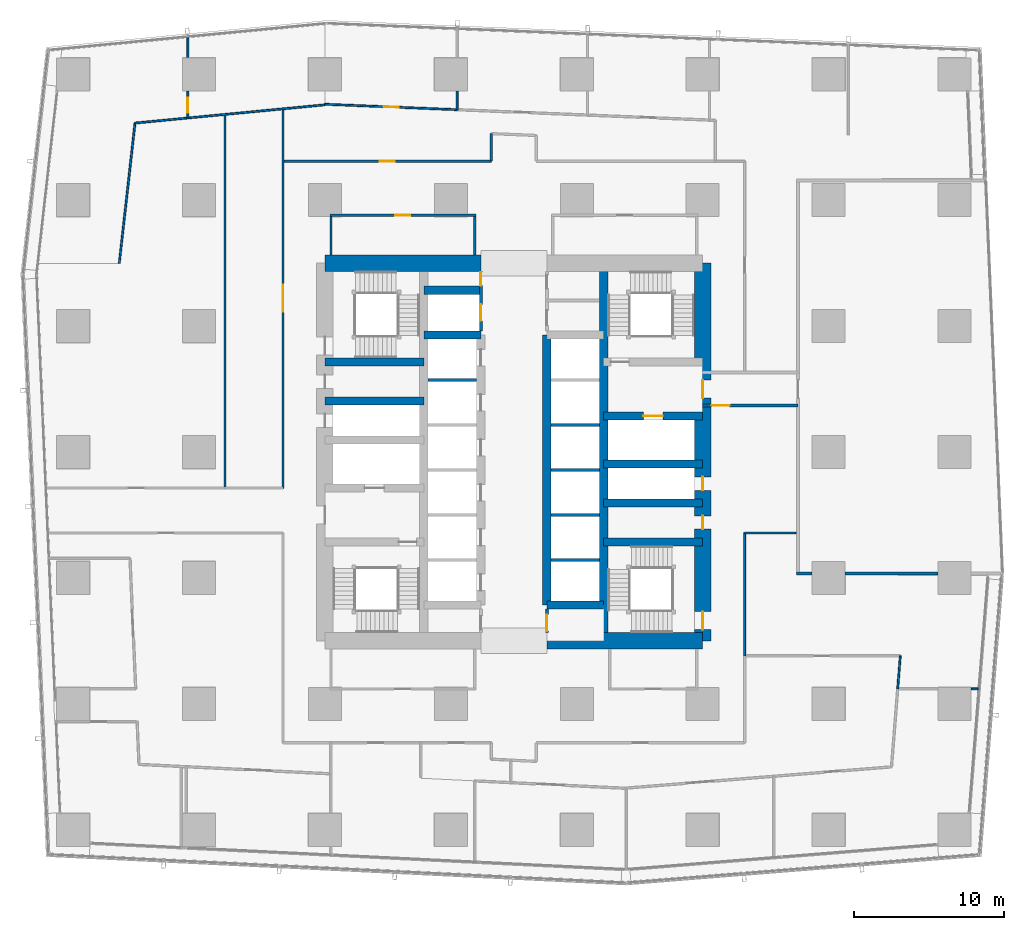
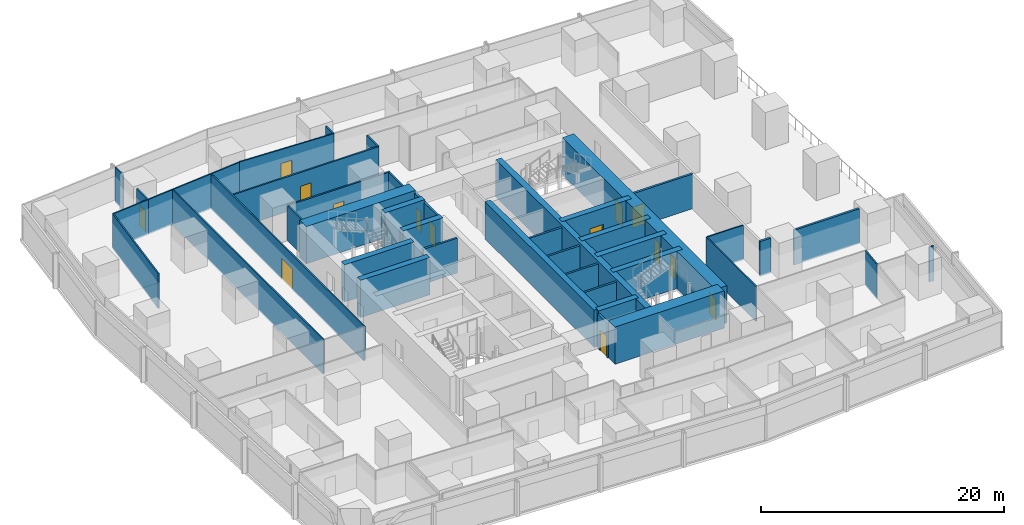
# One storey, part 31 of 42: 42 walls, 14 doors, 14 openings.
"""IFC4 building model written with IfcOpenShell, lengths in metres."""

from ifc_helpers import new_model, si_unit, direction, frame, frame_2d, origin, place, context, subcontext, project, spatial, rectangle, extrude, material, layer, layer_set, type_object, element, fill, save


model = new_model("IFC4")

# Units and contexts
model_context = context("Model", 3, precision=1e-05, world=origin(), true_north=direction((0.0, 1.0)))
body_context = subcontext(model_context, "Body", "Model", "MODEL_VIEW")
ifc_project = project(units=[si_unit("LENGTHUNIT", "METRE"), si_unit("AREAUNIT", "SQUARE_METRE"), si_unit("VOLUMEUNIT", "CUBIC_METRE"), si_unit("PLANEANGLEUNIT", "RADIAN"), si_unit("MASSUNIT", "GRAM", prefix="KILO")], contexts=[model_context])

# Site, building, storey
site_placement = place(None, origin())
site = spatial("IfcSite", under=ifc_project, at=site_placement, CompositionType="ELEMENT")
building_placement = place(site_placement, origin())
building = spatial("IfcBuilding", under=site, at=building_placement, Name="Rekha Terrace Tower", CompositionType="ELEMENT")
storey_placement = place(building_placement, frame((0.0, 0.0, 70.39990234375)))
storey = spatial("IfcBuildingStorey", under=building, at=storey_placement, Name="L17", CompositionType="ELEMENT", Elevation=70.39990234375)

# Walls
ifc_material_1 = material(Name="Concrete M70", Category="concrete")
ifc_layer_1 = layer(ifc_material_1, 0.550048828125)
ifc_layer_set_1 = layer_set([ifc_layer_1], Name="Concrete M70")
wall_type_1 = type_object("IfcWallType", Name="CI1 550 core internal shear wall", PredefinedType="SHEAR", material=ifc_layer_set_1)
wall_1_placement = place(storey_placement, frame((43.800048828125, 21.0, 0.0), z_axis=(0.0, 0.0, 1.0), x_axis=(0.0, 1.0, 0.0)))
element("IfcWall", 1, at=wall_1_placement, inside=storey, type_object=wall_type_1, Name="Core wall X438 L17", PredefinedType="SHEAR", context=body_context, shape_type="SweptSolid", body=[
    extrude(rectangle(XDim=25.199951171875, YDim=0.550048828125, at=frame_2d((12.60009765625, 0.0))), origin(), (0.0, 0.0, 1.0), 3.75),
])
wall_2_placement = place(storey_placement, frame((40.0, 23.39990234375, 0.0), z_axis=(0.0, 0.0, 1.0), x_axis=(0.0, 1.0, 0.0)))
element("IfcWall", 2, at=wall_2_placement, inside=storey, type_object=wall_type_1, Name="Core wall X400 L17", PredefinedType="SHEAR", context=body_context, shape_type="SweptSolid", body=[
    extrude(rectangle(XDim=18.0, YDim=0.550048828125, at=frame_2d((9.0, 0.0))), origin(), (0.0, 0.0, 1.0), 3.75),
])
for number, where, z_axis, x_axis, name in (
    (3, (31.800048828125, 41.39990234375, 0.0), (0.0, 0.0, 1.0), (1.0, 0.0, 0.0), "Core wall Y414W L17"),
    (4, (31.800048828125, 44.39990234375, 0.0), (0.0, 0.0, 1.0), (1.0, 0.0, 0.0), "Core wall Y444W L17"),
    (5, (40.0, 23.39990234375, 0.0), (0.0, 0.0, 1.0), (1.0, 0.0, 0.0), "Core wall Y234E L17"),
):
    element("IfcWall", number, at=place(storey_placement, frame(where, z_axis=z_axis, x_axis=x_axis)), inside=storey, type_object=wall_type_1, Name=name, PredefinedType="SHEAR", context=body_context, shape_type="SweptSolid", body=[
        extrude(rectangle(XDim=3.800048828125, YDim=0.550048828125, at=frame_2d((1.89990234375, 0.0))), origin(), (0.0, 0.0, 1.0), 3.75),
    ])
for number, where, z_axis, x_axis, name in (
    (6, (25.199951171875, 37.0, 0.0), (0.0, 0.0, 1.0), (1.0, 0.0, 0.0), "Core wall Y370W L17"),
    (7, (25.199951171875, 39.60009765625, 0.0), (0.0, 0.0, 1.0), (1.0, 0.0, 0.0), "Core wall Y396W L17"),
):
    element("IfcWall", number, at=place(storey_placement, frame(where, z_axis=z_axis, x_axis=x_axis)), inside=storey, type_object=wall_type_1, Name=name, PredefinedType="SHEAR", context=body_context, shape_type="SweptSolid", body=[
        extrude(rectangle(XDim=6.60009765625, YDim=0.550048828125, at=frame_2d((3.300048828125, 0.0))), origin(), (0.0, 0.0, 1.0), 3.75),
    ])
for number, where, z_axis, x_axis, name in (
    (8, (43.800048828125, 27.60009765625, 0.0), (0.0, 0.0, 1.0), (1.0, 0.0, 0.0), "Core wall Y276E L17"),
    (9, (43.800048828125, 30.199951171875, 0.0), (0.0, 0.0, 1.0), (1.0, 0.0, 0.0), "Core wall Y302E L17"),
    (10, (43.800048828125, 32.800048828125, 0.0), (0.0, 0.0, 1.0), (1.0, 0.0, 0.0), "Core wall Y328E L17"),
):
    element("IfcWall", number, at=place(storey_placement, frame(where, z_axis=z_axis, x_axis=x_axis)), inside=storey, type_object=wall_type_1, Name=name, PredefinedType="SHEAR", context=body_context, shape_type="SweptSolid", body=[
        extrude(rectangle(XDim=6.599853515625, YDim=0.550048828125, at=frame_2d((3.2998046875, 0.0))), origin(), (0.0, 0.0, 1.0), 3.75),
    ])

# Wall, opening, door
wall_3_placement = place(storey_placement, frame((43.800048828125, 36.0, 0.0), z_axis=(0.0, 0.0, 1.0), x_axis=(1.0, 0.0, 0.0)))
wall_3 = element("IfcWall", 11, at=wall_3_placement, inside=storey, type_object=wall_type_1, Name="Core wall Y360E L17", PredefinedType="SHEAR", context=body_context, shape_type="SweptSolid", body=[
    extrude(rectangle(XDim=6.599853515625, YDim=0.550048828125, at=frame_2d((3.2998046875, 0.0))), origin(), (0.0, 0.0, 1.0), 3.75),
])
opening_1_placement = place(wall_3_placement, frame((2.64990234375, 0.0, 0.0)))
opening_1 = element("IfcOpeningElement", 12, at=opening_1_placement, cuts=wall_3, Name="Opening LD2", PredefinedType="OPENING", context=body_context, shape_type="SweptSolid", body=[
    extrude(rectangle(XDim=1.300048828125, YDim=2.10009765625, at=frame_2d((0.64990234375, 1.050048828125))), frame((0.0, 0.284912109375, 0.0), z_axis=(0.0, -1.0, 0.0), x_axis=(1.0, 0.0, 0.0)), (0.0, 0.0, 1.0), 0.570068359375),
])
ifc_material_2 = material(Name="Stainless steel sliding landing door", Category="steel")
door_type_1 = type_object("IfcDoorType", Name="LD2 1300x2100 fire lift landing door", OperationType="SLIDING_TO_LEFT", PredefinedType="USERDEFINED", material=ifc_material_2)
door_1_placement = place(opening_1_placement, origin())
door_1 = element("IfcDoor", 13, at=door_1_placement, inside=storey, type_object=door_type_1, Name="Lift FL2 landing door L17", ObjectType="LIFT LANDING DOOR", OperationType="SLIDING_TO_LEFT", OverallHeight=2.10009765625, OverallWidth=1.300048828125, PredefinedType="USERDEFINED", context=body_context, shape_type="SweptSolid", body=[
    extrude(rectangle(XDim=1.300048828125, YDim=2.10009765625, at=frame_2d((0.64990234375, 1.050048828125))), frame((0.0, 0.02490234375, 0.0), z_axis=(0.0, -1.0, 0.0), x_axis=(1.0, 0.0, 0.0)), (0.0, 0.0, 1.0), 0.050048828125),
])
fill(opening_1, door_1)

# Walls
ifc_layer_2 = layer(ifc_material_1, 1.10009765625)
ifc_layer_set_2 = layer_set([ifc_layer_2], Name="Concrete M70")
wall_type_2 = type_object("IfcWallType", Name="SW1 1100 core outer shear wall", PredefinedType="SHEAR", material=ifc_layer_set_2)
wall_4_placement = place(storey_placement, frame((40.0, 21.0, 0.0), z_axis=(0.0, 0.0, 1.0), x_axis=(1.0, 0.0, 0.0)))
element("IfcWall", 14, at=wall_4_placement, inside=storey, type_object=wall_type_2, Name="Core wall S2 L17", PredefinedType="SHEAR", context=body_context, shape_type="SweptSolid", body=[
    extrude(rectangle(XDim=10.39990234375, YDim=1.10009765625, at=frame_2d((5.199951171875, 0.0))), origin(), (0.0, 0.0, 1.0), 3.75),
])
wall_5_placement = place(storey_placement, frame((25.199951171875, 46.199951171875, 0.0), z_axis=(0.0, 0.0, 1.0), x_axis=(1.0, 0.0, 0.0)))
element("IfcWall", 15, at=wall_5_placement, inside=storey, type_object=wall_type_2, Name="Core wall N1 L17", PredefinedType="SHEAR", context=body_context, shape_type="SweptSolid", body=[
    extrude(rectangle(XDim=10.400146484375, YDim=1.10009765625, at=frame_2d((5.2001953125, 0.0))), origin(), (0.0, 0.0, 1.0), 3.75),
])

# Wall, openings, doors
wall_6_placement = place(storey_placement, frame((50.39990234375, 21.0, 0.0), z_axis=(0.0, 0.0, 1.0), x_axis=(0.0, 1.0, 0.0)))
wall_6 = element("IfcWall", 16, at=wall_6_placement, inside=storey, type_object=wall_type_2, Name="Core wall E L17", PredefinedType="SHEAR", context=body_context, shape_type="SweptSolid", body=[
    extrude(rectangle(XDim=25.199951171875, YDim=1.10009765625, at=frame_2d((12.60009765625, 0.0))), origin(), (0.0, 0.0, 1.0), 3.75),
])
opening_2_placement = place(wall_6_placement, frame((16.199951171875, 0.0, 0.0)))
opening_2 = element("IfcOpeningElement", 17, at=opening_2_placement, cuts=wall_6, Name="Opening D2", PredefinedType="OPENING", context=body_context, shape_type="SweptSolid", body=[
    extrude(rectangle(XDim=1.199951171875, YDim=2.10009765625, at=frame_2d((0.60009765625, 1.050048828125))), frame((0.0, 0.56005859375, 0.0), z_axis=(0.0, -1.0, 0.0), x_axis=(1.0, 0.0, 0.0)), (0.0, 0.0, 1.0), 1.1201171875),
])
opening_3_placement = place(wall_6_placement, frame((10.050048828125, 0.0, 0.0)))
opening_3 = element("IfcOpeningElement", 18, at=opening_3_placement, cuts=wall_6, Name="Opening D5", PredefinedType="OPENING", context=body_context, shape_type="SweptSolid", body=[
    extrude(rectangle(XDim=0.89990234375, YDim=2.10009765625, at=frame_2d((0.449951171875, 1.050048828125))), frame((0.0, 0.56005859375, 0.0), z_axis=(0.0, -1.0, 0.0), x_axis=(1.0, 0.0, 0.0)), (0.0, 0.0, 1.0), 1.1201171875),
])
opening_4_placement = place(wall_6_placement, frame((7.449951171875, 0.0, 0.0)))
opening_4 = element("IfcOpeningElement", 19, at=opening_4_placement, cuts=wall_6, Name="Opening D5", PredefinedType="OPENING", context=body_context, shape_type="SweptSolid", body=[
    extrude(rectangle(XDim=0.89990234375, YDim=2.10009765625, at=frame_2d((0.449951171875, 1.050048828125))), frame((0.0, 0.56005859375, 0.0), z_axis=(0.0, -1.0, 0.0), x_axis=(1.0, 0.0, 0.0)), (0.0, 0.0, 1.0), 1.1201171875),
])
opening_5_placement = place(wall_6_placement, frame((0.75, 0.0, 0.0)))
opening_5 = element("IfcOpeningElement", 20, at=opening_5_placement, cuts=wall_6, Name="Opening D1", PredefinedType="OPENING", context=body_context, shape_type="SweptSolid", body=[
    extrude(rectangle(XDim=1.199951171875, YDim=2.10009765625, at=frame_2d((0.60009765625, 1.050048828125))), frame((0.0, 0.56005859375, 0.0), z_axis=(0.0, -1.0, 0.0), x_axis=(1.0, 0.0, 0.0)), (0.0, 0.0, 1.0), 1.1201171875),
])
ifc_material_3 = material(Name="Steel fire door", Category="steel")
door_type_2 = type_object("IfcDoorType", Name="D1 1200x2100 stair fire door", OperationType="SINGLE_SWING_RIGHT", PredefinedType="DOOR", material=ifc_material_3)
door_2_placement = place(opening_5_placement, origin())
door_2 = element("IfcDoor", 21, at=door_2_placement, inside=storey, type_object=door_type_2, Name="Stair ST3 door L17", OperationType="SINGLE_SWING_RIGHT", OverallHeight=2.10009765625, OverallWidth=1.199951171875, PredefinedType="DOOR", context=body_context, shape_type="SweptSolid", body=[
    extrude(rectangle(XDim=1.199951171875, YDim=2.10009765625, at=frame_2d((0.60009765625, 1.050048828125))), frame((0.0, 0.02490234375, 0.0), z_axis=(0.0, -1.0, 0.0), x_axis=(1.0, 0.0, 0.0)), (0.0, 0.0, 1.0), 0.050048828125),
])
fill(opening_5, door_2)
door_type_3 = type_object("IfcDoorType", Name="D2 1200x2100 firefighting lobby door", OperationType="SINGLE_SWING_LEFT", PredefinedType="DOOR", material=ifc_material_3)
door_3_placement = place(opening_2_placement, origin())
door_3 = element("IfcDoor", 22, at=door_3_placement, inside=storey, type_object=door_type_3, Name="Door flb2 L17", OperationType="SINGLE_SWING_LEFT", OverallHeight=2.10009765625, OverallWidth=1.199951171875, PredefinedType="DOOR", context=body_context, shape_type="SweptSolid", body=[
    extrude(rectangle(XDim=1.199951171875, YDim=2.10009765625, at=frame_2d((0.60009765625, 1.050048828125))), frame((0.0, 0.02490234375, 0.0), z_axis=(0.0, -1.0, 0.0), x_axis=(1.0, 0.0, 0.0)), (0.0, 0.0, 1.0), 0.050048828125),
])
fill(opening_2, door_3)
door_type_4 = type_object("IfcDoorType", Name="D5 900x2100 riser access door", OperationType="SINGLE_SWING_LEFT", PredefinedType="DOOR", material=ifc_material_3)
door_4_placement = place(opening_3_placement, origin())
door_4 = element("IfcDoor", 23, at=door_4_placement, inside=storey, type_object=door_type_4, Name="Door rs2 L17", OperationType="SINGLE_SWING_LEFT", OverallHeight=2.10009765625, OverallWidth=0.89990234375, PredefinedType="DOOR", context=body_context, shape_type="SweptSolid", body=[
    extrude(rectangle(XDim=0.89990234375, YDim=2.10009765625, at=frame_2d((0.449951171875, 1.050048828125))), frame((0.0, 0.02490234375, 0.0), z_axis=(0.0, -1.0, 0.0), x_axis=(1.0, 0.0, 0.0)), (0.0, 0.0, 1.0), 0.050048828125),
])
fill(opening_3, door_4)
door_5_placement = place(opening_4_placement, origin())
door_5 = element("IfcDoor", 24, at=door_5_placement, inside=storey, type_object=door_type_4, Name="Door ele L17", OperationType="SINGLE_SWING_LEFT", OverallHeight=2.10009765625, OverallWidth=0.89990234375, PredefinedType="DOOR", context=body_context, shape_type="SweptSolid", body=[
    extrude(rectangle(XDim=0.89990234375, YDim=2.10009765625, at=frame_2d((0.449951171875, 1.050048828125))), frame((0.0, 0.02490234375, 0.0), z_axis=(0.0, -1.0, 0.0), x_axis=(1.0, 0.0, 0.0)), (0.0, 0.0, 1.0), 0.050048828125),
])
fill(opening_4, door_5)

# Wall, opening, door
ifc_material_4 = material(Name="Concrete block masonry, 1 hour", Category="masonry")
ifc_layer_3 = layer(ifc_material_4, 0.14990234375)
ifc_layer_set_3 = layer_set([ifc_layer_3], Name="Concrete block masonry, 1 hour")
wall_type_3 = type_object("IfcWallType", Name="WP2 150 tenancy partition", PredefinedType="PARTITIONING", material=ifc_layer_set_3)
wall_7_placement = place(storey_placement, frame((25.52490234375, 49.39990234375, 0.0), z_axis=(0.0, 0.0, 1.0), x_axis=(1.0, 0.0, 0.0)))
wall_7 = element("IfcWall", 25, at=wall_7_placement, inside=storey, type_object=wall_type_3, Name="Women's WC wall L17", PredefinedType="PARTITIONING", context=body_context, shape_type="SweptSolid", body=[
    extrude(rectangle(XDim=9.75, YDim=0.14990234375, at=frame_2d((4.875, 0.0))), origin(), (0.0, 0.0, 1.0), 3.5),
])
opening_6_placement = place(wall_7_placement, frame((4.375, 0.0, 0.0)))
opening_6 = element("IfcOpeningElement", 26, at=opening_6_placement, cuts=wall_7, Name="Opening D3", PredefinedType="OPENING", context=body_context, shape_type="SweptSolid", body=[
    extrude(rectangle(XDim=1.0, YDim=2.10009765625, at=frame_2d((0.5, 1.050048828125))), frame((0.0, 0.0849609375, 0.0), z_axis=(0.0, -1.0, 0.0), x_axis=(1.0, 0.0, 0.0)), (0.0, 0.0, 1.0), 0.169921875),
])
ifc_material_5 = material(Name="Laminated timber fire door", Category="wood")
door_type_5 = type_object("IfcDoorType", Name="D3 1000x2100 WC door", OperationType="SINGLE_SWING_LEFT", PredefinedType="DOOR", material=ifc_material_5)
door_6_placement = place(opening_6_placement, origin())
door_6 = element("IfcDoor", 27, at=door_6_placement, inside=storey, type_object=door_type_5, Name="Door women's wc L17", OperationType="SINGLE_SWING_LEFT", OverallHeight=2.10009765625, OverallWidth=1.0, PredefinedType="DOOR", context=body_context, shape_type="SweptSolid", body=[
    extrude(rectangle(XDim=1.0, YDim=2.10009765625, at=frame_2d((0.5, 1.050048828125))), frame((0.0, 0.02490234375, 0.0), z_axis=(0.0, -1.0, 0.0), x_axis=(1.0, 0.0, 0.0)), (0.0, 0.0, 1.0), 0.050048828125),
])
fill(opening_6, door_6)

# Walls
for number, where, z_axis, x_axis, name in (
    (28, (25.60009765625, 46.75, 0.0), (0.0, 0.0, 1.0), (0.0, 1.0, 0.0), "Women's WC wall L17"),
    (29, (35.199951171875, 46.75, 0.0), (0.0, 0.0, 1.0), (0.0, 1.0, 0.0), "Women's WC wall L17"),
):
    element("IfcWall", number, at=place(storey_placement, frame(where, z_axis=z_axis, x_axis=x_axis)), inside=storey, type_object=wall_type_3, Name=name, PredefinedType="PARTITIONING", context=body_context, shape_type="SweptSolid", body=[
        extrude(rectangle(XDim=2.574951171875, YDim=0.14990234375, at=frame_2d((1.28759765625, 0.0))), origin(), (0.0, 0.0, 1.0), 3.5),
    ])
wall_8_placement = place(storey_placement, frame((36.300048828125, 54.842041015625, 0.0), z_axis=(0.0, 0.0, 1.0), x_axis=(0.0, -1.0, 0.0)))
element("IfcWall", 30, at=wall_8_placement, inside=storey, type_object=wall_type_3, Name="Partition L17-O3", PredefinedType="PARTITIONING", context=body_context, shape_type="SweptSolid", body=[
    extrude(rectangle(XDim=1.842041015625, YDim=0.14990234375, at=frame_2d((0.9208984375, 0.0))), origin(), (0.0, 0.0, 1.0), 3.5),
])

# Wall, opening, door
wall_9_placement = place(storey_placement, frame((36.300048828125, 53.0, 0.0), z_axis=(0.0, 0.0, 1.0), x_axis=(-1.0, 0.0, 0.0)))
wall_9 = element("IfcWall", 31, at=wall_9_placement, inside=storey, type_object=wall_type_3, Name="Partition L17-O3", PredefinedType="PARTITIONING", context=body_context, shape_type="SweptSolid", body=[
    extrude(rectangle(XDim=13.838134765625, YDim=0.14990234375, at=frame_2d((6.9189453125, 0.0))), origin(), (0.0, 0.0, 1.0), 3.5),
])
opening_7_placement = place(wall_9_placement, frame((6.449951171875, 0.0, 0.0)))
opening_7 = element("IfcOpeningElement", 32, at=opening_7_placement, cuts=wall_9, Name="Opening D9", PredefinedType="OPENING", context=body_context, shape_type="SweptSolid", body=[
    extrude(rectangle(XDim=1.0, YDim=2.10009765625, at=frame_2d((0.5, 1.050048828125))), frame((0.0, 0.0849609375, 0.0), z_axis=(0.0, -1.0, 0.0), x_axis=(1.0, 0.0, 0.0)), (0.0, 0.0, 1.0), 0.169921875),
])
ifc_material_6 = material(Name="Timber fire door", Category="wood")
door_type_6 = type_object("IfcDoorType", Name="D9 1000x2100 office door", OperationType="SINGLE_SWING_LEFT", PredefinedType="DOOR", material=ifc_material_6)
door_7_placement = place(opening_7_placement, origin())
door_7 = element("IfcDoor", 33, at=door_7_placement, inside=storey, type_object=door_type_6, Name="Door open-plan office L17", OperationType="SINGLE_SWING_LEFT", OverallHeight=2.10009765625, OverallWidth=1.0, PredefinedType="DOOR", context=body_context, shape_type="SweptSolid", body=[
    extrude(rectangle(XDim=1.0, YDim=2.10009765625, at=frame_2d((0.5, 1.050048828125))), frame((0.0, 0.02490234375, 0.0), z_axis=(0.0, -1.0, 0.0), x_axis=(1.0, 0.0, 0.0)), (0.0, 0.0, 1.0), 0.050048828125),
])
fill(opening_7, door_7)

# Walls
ifc_material_7 = material(Name="Two layers of fire-rated gypsum board each side on steel studs, acoustic quilt, 1 hour", Category="steel")
ifc_layer_4 = layer(ifc_material_7, 0.125)
ifc_layer_set_4 = layer_set([ifc_layer_4], Name="Two layers of fire-rated gypsum board each side on steel studs, acoustic quilt, 1 hour")
wall_type_4 = type_object("IfcWallType", Name="WP3 125 office partition", PredefinedType="PARTITIONING", material=ifc_layer_set_4)
wall_10_placement = place(storey_placement, frame((68.320068359375, 17.797119140625, 0.0), z_axis=(0.0, 0.0, 1.0), x_axis=(1.0, 0.0, 0.0)))
element("IfcWall", 34, at=wall_10_placement, inside=storey, type_object=wall_type_4, Name="Partition L17-04", PredefinedType="PARTITIONING", context=body_context, shape_type="SweptSolid", body=[
    extrude(rectangle(XDim=0.454833984375, YDim=0.125, at=frame_2d((0.2275390625, 0.0))), origin(), (0.0, 0.0, 1.0), 3.5),
])
wall_11_placement = place(storey_placement, frame((63.407958984375, 17.798095703125, 0.0), z_axis=(0.0, 0.0, 1.0), x_axis=(0.079179009267, 0.996860413745, 0.0)))
element("IfcWall", 35, at=wall_11_placement, inside=storey, type_object=wall_type_4, Name="Partition L17-05", PredefinedType="PARTITIONING", context=body_context, shape_type="SweptSolid", body=[
    extrude(rectangle(XDim=2.210693359375, YDim=0.125, at=frame_2d((1.10546875, 0.0))), origin(), (0.0, 0.0, 1.0), 3.5),
])
wall_12_placement = place(storey_placement, frame((53.199951171875, 20.001953125, 0.0), z_axis=(0.0, 0.0, 1.0), x_axis=(0.0, 1.0, 0.0)))
element("IfcWall", 36, at=wall_12_placement, inside=storey, type_object=wall_type_4, Name="Partition L17-05", PredefinedType="PARTITIONING", context=body_context, shape_type="SweptSolid", body=[
    extrude(rectangle(XDim=8.197998046875, YDim=0.125, at=frame_2d((4.09912109375, 0.0))), origin(), (0.0, 0.0, 1.0), 3.5),
])
wall_13_placement = place(storey_placement, frame((53.199951171875, 28.199951171875, 0.0), z_axis=(0.0, 0.0, 1.0), x_axis=(1.0, 0.0, 0.0)))
element("IfcWall", 37, at=wall_13_placement, inside=storey, type_object=wall_type_4, Name="Partition L17-05", PredefinedType="PARTITIONING", context=body_context, shape_type="SweptSolid", body=[
    extrude(rectangle(XDim=3.43896484375, YDim=0.125, at=frame_2d((1.719482421875, 0.0))), origin(), (0.0, 0.0, 1.0), 3.5),
])
wall_14_placement = place(storey_placement, frame((34.02294921875, 56.43701171875, 0.0), z_axis=(0.0, 0.0, 1.0), x_axis=(0.0, 1.0, 0.0)))
element("IfcWall", 38, at=wall_14_placement, inside=storey, type_object=wall_type_4, Name="Partition L17-11", PredefinedType="PARTITIONING", context=body_context, shape_type="SweptSolid", body=[
    extrude(rectangle(XDim=1.242919921875, YDim=0.125, at=frame_2d((0.62158203125, 0.0))), origin(), (0.0, 0.0, 1.0), 3.5),
])

# Wall, opening, door
wall_15_placement = place(storey_placement, frame((34.02099609375, 56.43701171875, 0.0), z_axis=(0.0, 0.0, 1.0), x_axis=(-0.999150375519, 0.041213190857, 0.0)))
wall_15 = element("IfcWall", 39, at=wall_15_placement, inside=storey, type_object=wall_type_4, Name="Partition L17-12", PredefinedType="PARTITIONING", context=body_context, shape_type="SweptSolid", body=[
    extrude(rectangle(XDim=8.83251953125, YDim=0.125, at=frame_2d((4.416259765625, 0.0))), origin(), (0.0, 0.0, 1.0), 3.5),
])
opening_8_placement = place(wall_15_placement, frame((3.9140625, 0.0, 0.0)))
opening_8 = element("IfcOpeningElement", 40, at=opening_8_placement, cuts=wall_15, Name="Opening D9", PredefinedType="OPENING", context=body_context, shape_type="SweptSolid", body=[
    extrude(rectangle(XDim=1.0, YDim=2.10009765625, at=frame_2d((0.5, 1.050048828125))), frame((0.0, 0.072509765625, 0.0), z_axis=(0.0, -1.0, 0.0), x_axis=(1.0, 0.0, 0.0)), (0.0, 0.0, 1.0), 0.14501953125),
])
door_8_placement = place(opening_8_placement, origin())
door_8 = element("IfcDoor", 41, at=door_8_placement, inside=storey, type_object=door_type_6, Name="Door office L17", OperationType="SINGLE_SWING_LEFT", OverallHeight=2.10009765625, OverallWidth=1.0, PredefinedType="DOOR", context=body_context, shape_type="SweptSolid", body=[
    extrude(rectangle(XDim=1.0, YDim=2.10009765625, at=frame_2d((0.5, 1.050048828125))), frame((0.0, 0.02490234375, 0.0), z_axis=(0.0, -1.0, 0.0), x_axis=(1.0, 0.0, 0.0)), (0.0, 0.0, 1.0), 0.050048828125),
])
fill(opening_8, door_8)

# Wall
wall_16_placement = place(storey_placement, frame((25.194091796875, 56.761962890625, 0.0), z_axis=(0.0, 0.0, 1.0), x_axis=(-0.995418669547, -0.095612092945, 0.0)))
element("IfcWall", 42, at=wall_16_placement, inside=storey, type_object=wall_type_4, Name="Partition L17-13", PredefinedType="PARTITIONING", context=body_context, shape_type="SweptSolid", body=[
    extrude(rectangle(XDim=9.18212890625, YDim=0.125, at=frame_2d((4.591064453125, 0.0))), origin(), (0.0, 0.0, 1.0), 3.5),
])

# Wall, opening, door
wall_17_placement = place(storey_placement, frame((16.053955078125, 55.884033203125, 0.0), z_axis=(0.0, 0.0, 1.0), x_axis=(0.0, 1.0, 0.0)))
wall_17 = element("IfcWall", 43, at=wall_17_placement, inside=storey, type_object=wall_type_4, Name="Partition L17-13", PredefinedType="PARTITIONING", context=body_context, shape_type="SweptSolid", body=[
    extrude(rectangle(XDim=1.7958984375, YDim=0.125, at=frame_2d((0.89794921875, 0.0))), origin(), (0.0, 0.0, 1.0), 3.5),
])
opening_9_placement = place(wall_17_placement, frame((0.363037109375, 0.0, 0.0)))
opening_9 = element("IfcOpeningElement", 44, at=opening_9_placement, cuts=wall_17, Name="Opening D9", PredefinedType="OPENING", context=body_context, shape_type="SweptSolid", body=[
    extrude(rectangle(XDim=1.0, YDim=2.10009765625, at=frame_2d((0.5, 1.050048828125))), frame((0.0, 0.072509765625, 0.0), z_axis=(0.0, -1.0, 0.0), x_axis=(1.0, 0.0, 0.0)), (0.0, 0.0, 1.0), 0.14501953125),
])
door_9_placement = place(opening_9_placement, origin())
door_9 = element("IfcDoor", 45, at=door_9_placement, inside=storey, type_object=door_type_6, Name="Door office L17", OperationType="SINGLE_SWING_LEFT", OverallHeight=2.10009765625, OverallWidth=1.0, PredefinedType="DOOR", context=body_context, shape_type="SweptSolid", body=[
    extrude(rectangle(XDim=1.0, YDim=2.10009765625, at=frame_2d((0.5, 1.050048828125))), frame((0.0, 0.02490234375, 0.0), z_axis=(0.0, -1.0, 0.0), x_axis=(1.0, 0.0, 0.0)), (0.0, 0.0, 1.0), 0.050048828125),
])
fill(opening_9, door_9)

# Walls
wall_18_placement = place(storey_placement, frame((16.053955078125, 59.919921875, 0.0), z_axis=(0.0, 0.0, 1.0), x_axis=(0.0, 1.0, 0.0)))
element("IfcWall", 46, at=wall_18_placement, inside=storey, type_object=wall_type_4, Name="Partition L17-13", PredefinedType="PARTITIONING", context=body_context, shape_type="SweptSolid", body=[
    extrude(rectangle(XDim=1.30810546875, YDim=0.125, at=frame_2d((0.654052734375, 0.0))), origin(), (0.0, 0.0, 1.0), 3.5),
])
wall_19_placement = place(storey_placement, frame((16.052978515625, 55.883056640625, 0.0), z_axis=(0.0, 0.0, 1.0), x_axis=(-0.995420403314, -0.095594040951, 0.0)))
element("IfcWall", 47, at=wall_19_placement, inside=storey, type_object=wall_type_4, Name="Partition L17-14", PredefinedType="PARTITIONING", context=body_context, shape_type="SweptSolid", body=[
    extrude(rectangle(XDim=3.537109375, YDim=0.125, at=frame_2d((1.7685546875, 0.0))), origin(), (0.0, 0.0, 1.0), 3.5),
])
wall_20_placement = place(storey_placement, frame((12.531982421875, 55.544921875, 0.0), z_axis=(0.0, 0.0, 1.0), x_axis=(-0.111658384145, -0.993746650435, 0.0)))
element("IfcWall", 48, at=wall_20_placement, inside=storey, type_object=wall_type_4, Name="Partition L17-14", PredefinedType="PARTITIONING", context=body_context, shape_type="SweptSolid", body=[
    extrude(rectangle(XDim=9.412841796875, YDim=0.125, at=frame_2d((4.70654296875, 0.0))), origin(), (0.0, 0.0, 1.0), 3.5),
])
wall_21_placement = place(storey_placement, frame((18.531982421875, 56.05908203125, 0.0), z_axis=(0.0, 0.0, 1.0), x_axis=(0.0, -1.0, 0.0)))
element("IfcWall", 49, at=wall_21_placement, inside=storey, type_object=wall_type_4, Name="Partition L17-16", PredefinedType="PARTITIONING", context=body_context, shape_type="SweptSolid", body=[
    extrude(rectangle(XDim=24.859130859375, YDim=0.125, at=frame_2d((12.4296875, 0.0))), origin(), (0.0, 0.0, 1.0), 3.5),
])

# Wall, opening, door
wall_22_placement = place(storey_placement, frame((22.39990234375, 56.430908203125, 0.0), z_axis=(0.0, 0.0, 1.0), x_axis=(0.0, -1.0, 0.0)))
wall_22 = element("IfcWall", 50, at=wall_22_placement, inside=storey, type_object=wall_type_4, Name="Partition L17-17", PredefinedType="PARTITIONING", context=body_context, shape_type="SweptSolid", body=[
    extrude(rectangle(XDim=25.23095703125, YDim=0.125, at=frame_2d((12.615478515625, 0.0))), origin(), (0.0, 0.0, 1.0), 3.5),
])
opening_10_placement = place(wall_22_placement, frame((11.68408203125, 0.0, 0.0)))
opening_10 = element("IfcOpeningElement", 51, at=opening_10_placement, cuts=wall_22, Name="Opening D8", PredefinedType="OPENING", context=body_context, shape_type="SweptSolid", body=[
    extrude(rectangle(XDim=1.800048828125, YDim=2.10009765625, at=frame_2d((0.89990234375, 1.050048828125))), frame((0.0, 0.072509765625, 0.0), z_axis=(0.0, -1.0, 0.0), x_axis=(1.0, 0.0, 0.0)), (0.0, 0.0, 1.0), 0.14501953125),
])
door_type_7 = type_object("IfcDoorType", Name="D8 1800x2100 double leaf door", OperationType="DOUBLE_DOOR_SINGLE_SWING", PredefinedType="DOOR", material=ifc_material_6)
door_10_placement = place(opening_10_placement, origin())
door_10 = element("IfcDoor", 52, at=door_10_placement, inside=storey, type_object=door_type_7, Name="Door breakout lounge L17", OperationType="DOUBLE_DOOR_SINGLE_SWING", OverallHeight=2.10009765625, OverallWidth=1.800048828125, PredefinedType="DOOR", context=body_context, shape_type="SweptSolid", body=[
    extrude(rectangle(XDim=1.800048828125, YDim=2.10009765625, at=frame_2d((0.89990234375, 1.050048828125))), frame((0.0, 0.02490234375, 0.0), z_axis=(0.0, -1.0, 0.0), x_axis=(1.0, 0.0, 0.0)), (0.0, 0.0, 1.0), 0.050048828125),
])
fill(opening_10, door_10)

# Walls
ifc_material_8 = material(Name="Solid concrete block masonry, 2 hour", Category="masonry")
ifc_layer_5 = layer(ifc_material_8, 0.199951171875)
ifc_layer_set_5 = layer_set([ifc_layer_5], Name="Solid concrete block masonry, 2 hour")
wall_type_5 = type_object("IfcWallType", Name="WS1 200 stair and shaft enclosure", PredefinedType="PARTITIONING", material=ifc_layer_set_5)
for number, where, z_axis, x_axis, name in (
    (53, (32.074951171875, 38.39990234375, 0.0), (0.0, 0.0, 1.0), (1.0, 0.0, 0.0), "Lift shaft divider L17"),
    (54, (40.27490234375, 26.39990234375, 0.0), (0.0, 0.0, 1.0), (1.0, 0.0, 0.0), "Lift shaft divider L17"),
    (55, (40.27490234375, 29.39990234375, 0.0), (0.0, 0.0, 1.0), (1.0, 0.0, 0.0), "Lift shaft divider L17"),
    (56, (40.27490234375, 32.39990234375, 0.0), (0.0, 0.0, 1.0), (1.0, 0.0, 0.0), "Lift shaft divider L17"),
    (57, (40.27490234375, 35.39990234375, 0.0), (0.0, 0.0, 1.0), (1.0, 0.0, 0.0), "Lift shaft divider L17"),
):
    element("IfcWall", number, at=place(storey_placement, frame(where, z_axis=z_axis, x_axis=x_axis)), inside=storey, type_object=wall_type_5, Name=name, PredefinedType="PARTITIONING", context=body_context, shape_type="SweptSolid", body=[
        extrude(rectangle(XDim=3.25, YDim=0.199951171875, at=frame_2d((1.625, 0.0))), origin(), (0.0, 0.0, 1.0), 3.5),
    ])

# Wall, opening, door
wall_23_placement = place(storey_placement, frame((40.0, 21.550048828125, 0.0), z_axis=(0.0, 0.0, 1.0), x_axis=(0.0, 1.0, 0.0)))
wall_23 = element("IfcWall", 58, at=wall_23_placement, inside=storey, type_object=wall_type_5, Name="Core partition wca L17", PredefinedType="PARTITIONING", context=body_context, shape_type="SweptSolid", body=[
    extrude(rectangle(XDim=1.574951171875, YDim=0.199951171875, at=frame_2d((0.78759765625, 0.0))), origin(), (0.0, 0.0, 1.0), 3.5),
])
opening_11_placement = place(wall_23_placement, frame((0.10009765625, 0.0, 0.0)))
opening_11 = element("IfcOpeningElement", 59, at=opening_11_placement, cuts=wall_23, Name="Opening D4", PredefinedType="OPENING", context=body_context, shape_type="SweptSolid", body=[
    extrude(rectangle(XDim=1.10009765625, YDim=2.10009765625, at=frame_2d((0.550048828125, 1.050048828125))), frame((0.0, 0.10986328125, 0.0), z_axis=(0.0, -1.0, 0.0), x_axis=(1.0, 0.0, 0.0)), (0.0, 0.0, 1.0), 0.219970703125),
])
door_type_8 = type_object("IfcDoorType", Name="D4 1100x2100 accessible WC door", OperationType="SLIDING_TO_LEFT", PredefinedType="DOOR", material=ifc_material_5)
door_11_placement = place(opening_11_placement, origin())
door_11 = element("IfcDoor", 60, at=door_11_placement, inside=storey, type_object=door_type_8, Name="Door wca L17", OperationType="SLIDING_TO_LEFT", OverallHeight=2.10009765625, OverallWidth=1.10009765625, PredefinedType="DOOR", context=body_context, shape_type="SweptSolid", body=[
    extrude(rectangle(XDim=1.10009765625, YDim=2.10009765625, at=frame_2d((0.550048828125, 1.050048828125))), frame((0.0, 0.02490234375, 0.0), z_axis=(0.0, -1.0, 0.0), x_axis=(1.0, 0.0, 0.0)), (0.0, 0.0, 1.0), 0.050048828125),
])
fill(opening_11, door_11)

# Wall, openings, doors
wall_24_placement = place(storey_placement, frame((35.60009765625, 41.675048828125, 0.0), z_axis=(0.0, 0.0, 1.0), x_axis=(0.0, 1.0, 0.0)))
wall_24 = element("IfcWall", 61, at=wall_24_placement, inside=storey, type_object=wall_type_5, Name="Core partition jansv L17", PredefinedType="PARTITIONING", context=body_context, shape_type="SweptSolid", body=[
    extrude(rectangle(XDim=3.974853515625, YDim=0.199951171875, at=frame_2d((1.9873046875, 0.0))), origin(), (0.0, 0.0, 1.0), 3.5),
])
opening_12_placement = place(wall_24_placement, frame((3.02490234375, 0.0, 0.0)))
opening_12 = element("IfcOpeningElement", 62, at=opening_12_placement, cuts=wall_24, Name="Opening D5", PredefinedType="OPENING", context=body_context, shape_type="SweptSolid", body=[
    extrude(rectangle(XDim=0.89990234375, YDim=2.10009765625, at=frame_2d((0.449951171875, 1.050048828125))), frame((0.0, 0.10986328125, 0.0), z_axis=(0.0, -1.0, 0.0), x_axis=(1.0, 0.0, 0.0)), (0.0, 0.0, 1.0), 0.219970703125),
])
opening_13_placement = place(wall_24_placement, frame((0.675048828125, 0.0, 0.0)))
opening_13 = element("IfcOpeningElement", 63, at=opening_13_placement, cuts=wall_24, Name="Opening LD1", PredefinedType="OPENING", context=body_context, shape_type="SweptSolid", body=[
    extrude(rectangle(XDim=1.10009765625, YDim=2.10009765625, at=frame_2d((0.550048828125, 1.050048828125))), frame((0.0, 0.10986328125, 0.0), z_axis=(0.0, -1.0, 0.0), x_axis=(1.0, 0.0, 0.0)), (0.0, 0.0, 1.0), 0.219970703125),
])
door_12_placement = place(opening_12_placement, origin())
door_12 = element("IfcDoor", 64, at=door_12_placement, inside=storey, type_object=door_type_4, Name="Door janitor room L17", OperationType="SINGLE_SWING_LEFT", OverallHeight=2.10009765625, OverallWidth=0.89990234375, PredefinedType="DOOR", context=body_context, shape_type="SweptSolid", body=[
    extrude(rectangle(XDim=0.89990234375, YDim=2.10009765625, at=frame_2d((0.449951171875, 1.050048828125))), frame((0.0, 0.02490234375, 0.0), z_axis=(0.0, -1.0, 0.0), x_axis=(1.0, 0.0, 0.0)), (0.0, 0.0, 1.0), 0.050048828125),
])
fill(opening_12, door_12)
door_type_9 = type_object("IfcDoorType", Name="LD1 1100x2100 lift landing door", OperationType="SLIDING_TO_LEFT", PredefinedType="USERDEFINED", material=ifc_material_2)
door_13_placement = place(opening_13_placement, origin())
door_13 = element("IfcDoor", 65, at=door_13_placement, inside=storey, type_object=door_type_9, Name="Lift SV1 landing door L17", ObjectType="LIFT LANDING DOOR", OperationType="SLIDING_TO_LEFT", OverallHeight=2.10009765625, OverallWidth=1.10009765625, PredefinedType="USERDEFINED", context=body_context, shape_type="SweptSolid", body=[
    extrude(rectangle(XDim=1.10009765625, YDim=2.10009765625, at=frame_2d((0.550048828125, 1.050048828125))), frame((0.0, 0.02490234375, 0.0), z_axis=(0.0, -1.0, 0.0), x_axis=(1.0, 0.0, 0.0)), (0.0, 0.0, 1.0), 0.050048828125),
])
fill(opening_13, door_13)

# Walls
wall_25_placement = place(storey_placement, frame((56.64990234375, 25.5029296875, 0.0), z_axis=(0.0, 0.0, 1.0), x_axis=(1.0, 0.0, 0.0)))
element("IfcWall", 66, at=wall_25_placement, inside=storey, type_object=wall_type_5, Name="Refuge area south wall L17", PredefinedType="PARTITIONING", context=body_context, shape_type="SweptSolid", body=[
    extrude(rectangle(XDim=1.050048828125, YDim=0.199951171875, at=frame_2d((0.52490234375, 0.0))), origin(), (0.0, 0.0, 1.0), 3.5),
])
wall_26_placement = place(storey_placement, frame((59.89990234375, 25.5029296875, 0.0), z_axis=(0.0, 0.0, 1.0), x_axis=(1.0, 0.0, 0.0)))
element("IfcWall", 67, at=wall_26_placement, inside=storey, type_object=wall_type_5, Name="Refuge area south wall L17", PredefinedType="PARTITIONING", context=body_context, shape_type="SweptSolid", body=[
    extrude(rectangle(XDim=6.2001953125, YDim=0.199951171875, at=frame_2d((3.10009765625, 0.0))), origin(), (0.0, 0.0, 1.0), 3.5),
])

# Wall, opening, door
wall_27_placement = place(storey_placement, frame((50.39990234375, 36.699951171875, 0.0), z_axis=(0.0, 0.0, 1.0), x_axis=(1.0, 0.0, 0.0)))
wall_27 = element("IfcWall", 68, at=wall_27_placement, inside=storey, type_object=wall_type_5, Name="Refuge corridor south wall L17", PredefinedType="PARTITIONING", context=body_context, shape_type="SweptSolid", body=[
    extrude(rectangle(XDim=6.35009765625, YDim=0.199951171875, at=frame_2d((3.175048828125, 0.0))), origin(), (0.0, 0.0, 1.0), 3.5),
])
opening_14_placement = place(wall_27_placement, frame((0.60009765625, 0.0, 0.0)))
opening_14 = element("IfcOpeningElement", 69, at=opening_14_placement, cuts=wall_27, Name="Opening D2", PredefinedType="OPENING", context=body_context, shape_type="SweptSolid", body=[
    extrude(rectangle(XDim=1.199951171875, YDim=2.10009765625, at=frame_2d((0.60009765625, 1.050048828125))), frame((0.0, 0.10986328125, 0.0), z_axis=(0.0, -1.0, 0.0), x_axis=(1.0, 0.0, 0.0)), (0.0, 0.0, 1.0), 0.219970703125),
])
door_14_placement = place(opening_14_placement, origin())
door_14 = element("IfcDoor", 70, at=door_14_placement, inside=storey, type_object=door_type_3, Name="Refuge corridor door L17", OperationType="SINGLE_SWING_LEFT", OverallHeight=2.10009765625, OverallWidth=1.199951171875, PredefinedType="DOOR", context=body_context, shape_type="SweptSolid", body=[
    extrude(rectangle(XDim=1.199951171875, YDim=2.10009765625, at=frame_2d((0.60009765625, 1.050048828125))), frame((0.0, 0.02490234375, 0.0), z_axis=(0.0, -1.0, 0.0), x_axis=(1.0, 0.0, 0.0)), (0.0, 0.0, 1.0), 0.050048828125),
])
fill(opening_14, door_14)

save(model, "model.ifc")
